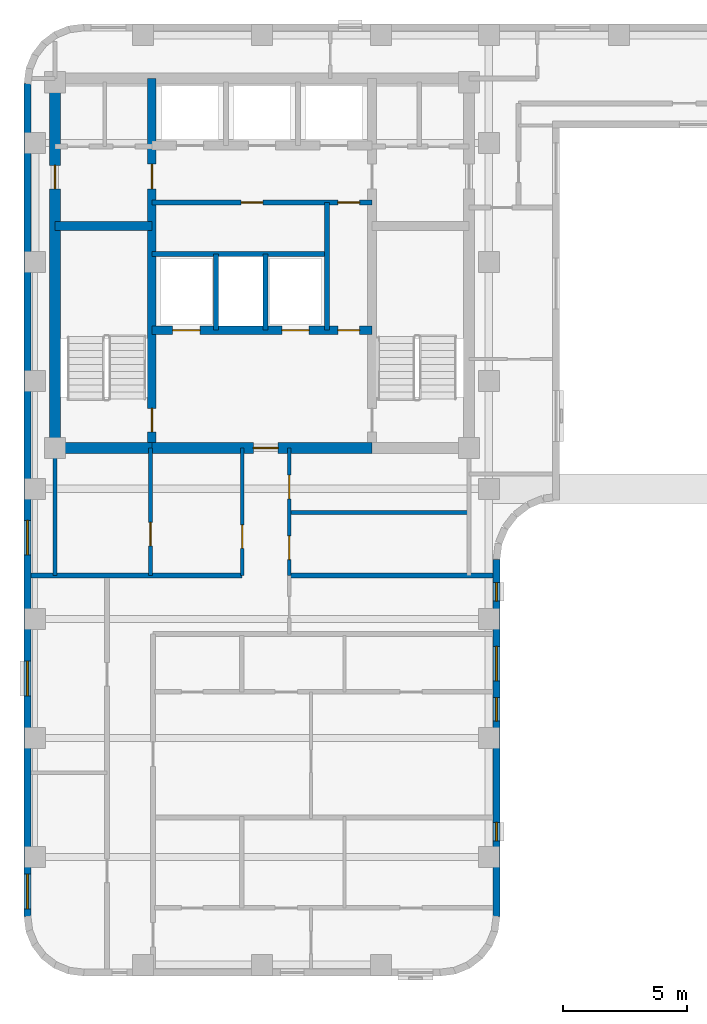
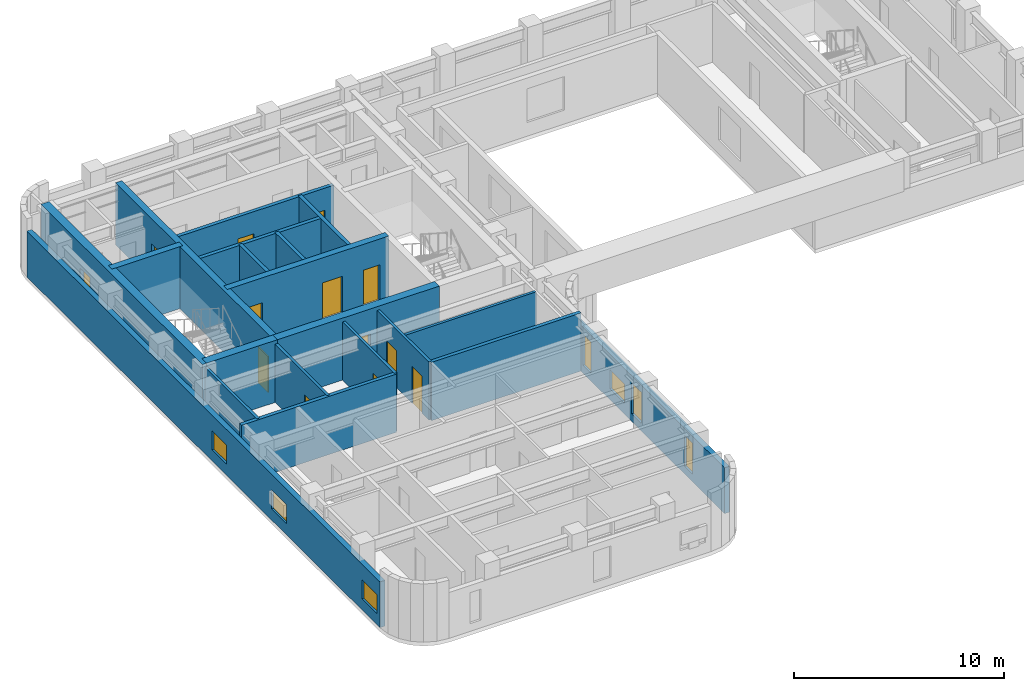
# One storey, part 3 of 8: 20 walls, 13 doors, 7 windows, 20 openings.
"""IFC4 building model written with IfcOpenShell, lengths in metres."""

import ifcopenshell
import ifcopenshell.guid

model = None  # the IFC model being written
_history = None  # IfcOwnerHistory: only IFC2X3 demands one
_inside = {}  # id of a spatial element -> (the spatial element, [elements in it])
_under = {}  # id of a project, library or spatial element -> (it, [spatial elements below it])
_declared = {}  # id of a project -> (the project, [libraries it declares])
_typed = {}  # id of a type object -> (the type object, [elements of that type])
_made_of = {}  # id of a material, layer set ... -> (it, [elements and type objects made of it])


def new_model(schema):
    """Start an empty IFC model of exactly this schema.

    Asked for "IFC4X3", IfcOpenShell would pick the latest addendum, in which some entities
    have other attributes; the version numbers below select the first issue.
    IFC2X3 requires an IfcOwnerHistory on every rooted entity: one is made here for all.
    """
    global model, _history
    if schema == "IFC4X3":
        model = ifcopenshell.file(schema_version=(4, 3, 0, 0))
    else:
        model = ifcopenshell.file(schema=schema)
    _inside.clear()
    _under.clear()
    _declared.clear()
    _typed.clear()
    _made_of.clear()
    _history = None
    if model.schema == "IFC2X3":
        org = make("IfcOrganization", Name="unknown")
        user = make(
            "IfcPersonAndOrganization",
            ThePerson=make("IfcPerson", FamilyName="unknown"),
            TheOrganization=org,
        )
        app = make(
            "IfcApplication",
            ApplicationDeveloper=org,
            Version="unknown",
            ApplicationFullName="unknown",
            ApplicationIdentifier="unknown",
        )
        _history = make(
            "IfcOwnerHistory",
            OwningUser=user,
            OwningApplication=app,
            ChangeAction="ADDED",
            CreationDate=0,
        )
    return model


def make(cls, **values):
    """One entity of the class cls with the attributes given. An attribute that is None is left unset."""
    return model.create_entity(
        cls, **{name: value for name, value in values.items() if value is not None}
    )


def rooted(cls, **values):
    """An entity with a GlobalId (a new one), such as an element, a storey or a relation."""
    return make(cls, GlobalId=ifcopenshell.guid.new(), OwnerHistory=_history, **values)


def si_unit(unit_type, name, prefix=None):
    """IfcSIUnit, for example si_unit("LENGTHUNIT", "METRE", prefix="MILLI")."""
    return make("IfcSIUnit", UnitType=unit_type, Prefix=prefix, Name=name)


def assignment(units):
    """IfcUnitAssignment: the units of a project."""
    return None if units is None else make("IfcUnitAssignment", Units=units)


def point(xyz):
    """IfcCartesianPoint."""
    return None if xyz is None else make("IfcCartesianPoint", Coordinates=xyz)


def direction(xyz):
    """IfcDirection."""
    return None if xyz is None else make("IfcDirection", DirectionRatios=xyz)


def frame(location, z_axis=None, x_axis=None):
    """IfcAxis2Placement3D, a coordinate frame: its origin and axes. An axis left out is left unset."""
    return make(
        "IfcAxis2Placement3D",
        Location=point(location),
        Axis=direction(z_axis),
        RefDirection=direction(x_axis),
    )


def frame_2d(location, x_axis=None):
    """IfcAxis2Placement2D, a coordinate frame in the plane: its origin and x axis."""
    return make(
        "IfcAxis2Placement2D", Location=point(location), RefDirection=direction(x_axis)
    )


def origin():
    """The frame at (0, 0, 0) with its axes left unset."""
    return frame((0.0, 0.0, 0.0))


def place(relative_to, where):
    """IfcLocalPlacement: puts the frame where relative to a parent placement (None: the world)."""
    return make(
        "IfcLocalPlacement", PlacementRelTo=relative_to, RelativePlacement=where
    )


def context(
    kind, dimensions, precision=None, world=None, true_north=None, identifier=None
):
    """IfcGeometricRepresentationContext, for example the 3D "Model" context."""
    return make(
        "IfcGeometricRepresentationContext",
        ContextIdentifier=identifier,
        ContextType=kind,
        CoordinateSpaceDimension=dimensions,
        Precision=precision,
        WorldCoordinateSystem=world,
        TrueNorth=true_north,
    )


def subcontext(parent, identifier, kind, view, scale=None):
    """IfcGeometricRepresentationSubContext, for example "Body" below "Model"."""
    return make(
        "IfcGeometricRepresentationSubContext",
        ContextIdentifier=identifier,
        ContextType=kind,
        ParentContext=parent,
        TargetScale=scale,
        TargetView=view,
    )


def project(units=None, contexts=None):
    """IfcProject with its units and contexts."""
    return rooted(
        "IfcProject",
        Name="project",
        RepresentationContexts=contexts,
        UnitsInContext=assignment(units),
    )


def spatial(cls, under=None, at=None, **own):
    """A site, building, storey or space (cls), placed at a placement, below another one or the project."""
    s = rooted(cls, ObjectPlacement=at, **own)
    if under is not None:
        _under.setdefault(under.id(), (under, []))[1].append(s)
    return s


def profile(cls, at=None, kind="AREA", **sizes):
    """A parametric profile (cls). Its sizes go by their IFC names, for example OverallWidth=200.0."""
    return make(cls, ProfileType=kind, Position=at, **sizes)


def rectangle(**sizes):
    """IfcRectangleProfileDef."""
    return profile("IfcRectangleProfileDef", **sizes)


def extrude(swept, where, along, depth):
    """IfcExtrudedAreaSolid: the profile swept, set in the frame where, extruded along a direction by depth."""
    return make(
        "IfcExtrudedAreaSolid",
        SweptArea=swept,
        Position=where,
        ExtrudedDirection=direction(along),
        Depth=depth,
    )


def shape(context_of_items, identifier, shape_type, items):
    """IfcShapeRepresentation: the items that make up one representation, for example the "Body"."""
    return make(
        "IfcShapeRepresentation",
        ContextOfItems=context_of_items,
        RepresentationIdentifier=identifier,
        RepresentationType=shape_type,
        Items=items,
    )


def material(Name=None, Category=None):
    """IfcMaterial."""
    return make("IfcMaterial", Name=Name, Category=Category)


def layer(
    of_material, thickness, ventilated=None, Name=None, Category=None, Priority=None
):
    """IfcMaterialLayer: one layer of a wall or slab, of a material (None: an air gap)."""
    return make(
        "IfcMaterialLayer",
        Material=of_material,
        LayerThickness=thickness,
        IsVentilated=ventilated,
        Name=Name,
        Category=Category,
        Priority=Priority,
    )


def layer_set(layers, Name=None):
    """IfcMaterialLayerSet."""
    return make("IfcMaterialLayerSet", MaterialLayers=layers, LayerSetName=Name)


def made_of(thing, what):
    """Note that an element or type object is made of a material, layer set ...; save() writes the relation."""
    if what is not None:
        _made_of.setdefault(what.id(), (what, []))[1].append(thing)
    return thing


def type_object(cls, material=None, **own):
    """A type object (cls), such as IfcWallType, which elements share."""
    return made_of(rooted(cls, **own), material)


def element(
    cls,
    number,
    at=None,
    inside=None,
    cuts=None,
    type_object=None,
    material=None,
    context=None,
    identifier="Body",
    shape_type=None,
    held_by="IfcProductDefinitionShape",
    body=None,
    shapes=None,
    **own,
):
    """One element of the class cls, such as IfcWall. Its Tag is "e" and its number.

    at: its placement. inside: the storey or other place that contains it. cuts: it is an
    opening in that element (IfcRelVoidsElement). A single representation is given by context,
    identifier, shape_type and body (its items); several are given by shapes. held_by: the class
    of the entity that holds the representations. save() writes the other relations.
    """
    e = rooted(cls, Tag="e%d" % number, ObjectPlacement=at, **own)
    if body is not None:
        shapes = [shape(context, identifier, shape_type, body)]
    if shapes is not None:
        e.Representation = make(held_by, Representations=shapes)
    if inside is not None:
        _inside.setdefault(inside.id(), (inside, []))[1].append(e)
    if cuts is not None:
        rooted(
            "IfcRelVoidsElement", RelatingBuildingElement=cuts, RelatedOpeningElement=e
        )
    if type_object is not None:
        _typed.setdefault(type_object.id(), (type_object, []))[1].append(e)
    return made_of(e, material)


def fill(opening, filler):
    """IfcRelFillsElement: the door or window that sits in an opening."""
    return rooted(
        "IfcRelFillsElement",
        RelatingOpeningElement=opening,
        RelatedBuildingElement=filler,
    )


def aggregate(whole, parts):
    """IfcRelAggregates: a whole, such as a stair, and the parts it consists of."""
    return rooted("IfcRelAggregates", RelatingObject=whole, RelatedObjects=parts)


def save(model, path):
    """Write the relations noted so far, then the file.

    IfcRelAggregates (storeys below a building ...), IfcRelContainedInSpatialStructure (elements
    in a storey), IfcRelDefinesByType, IfcRelAssociatesMaterial and IfcRelDeclares: one each for
    every whole, place, type object, material and project.
    """
    for whole, parts in _under.values():
        aggregate(whole, parts)
    for where, things in _inside.values():
        rooted(
            "IfcRelContainedInSpatialStructure",
            RelatedElements=things,
            RelatingStructure=where,
        )
    for kind, things in _typed.values():
        rooted("IfcRelDefinesByType", RelatedObjects=things, RelatingType=kind)
    for what, things in _made_of.values():
        rooted("IfcRelAssociatesMaterial", RelatedObjects=things, RelatingMaterial=what)
    for by, libraries in _declared.values():
        rooted("IfcRelDeclares", RelatingContext=by, RelatedDefinitions=libraries)
    model.write(path)


model = new_model("IFC4")

# Units and contexts
model_context = context("Model", 3, precision=1e-05, world=origin(), true_north=direction((0.0, 1.0)))
body_context = subcontext(model_context, "Body", "Model", "MODEL_VIEW")
ifc_project = project(units=[si_unit("LENGTHUNIT", "METRE"), si_unit("AREAUNIT", "SQUARE_METRE"), si_unit("VOLUMEUNIT", "CUBIC_METRE"), si_unit("PLANEANGLEUNIT", "RADIAN"), si_unit("MASSUNIT", "GRAM", prefix="KILO")], contexts=[model_context])

# Site, building, storey
site_placement = place(None, origin())
site = spatial("IfcSite", under=ifc_project, at=site_placement, CompositionType="ELEMENT")
building_placement = place(site_placement, origin())
building = spatial("IfcBuilding", under=site, at=building_placement, Name="Orvandelia Arch Residences", CompositionType="ELEMENT")
storey_placement = place(building_placement, frame((0.0, 0.0, 203.800048828125)))
storey = spatial("IfcBuildingStorey", under=building, at=storey_placement, Name="L53", CompositionType="ELEMENT", Elevation=203.800048828125)

# Wall, openings, doors
ifc_material_1 = material(Name="Concrete C50/60", Category="concrete")
ifc_layer_1 = layer(ifc_material_1, 0.35009765625, Name="Concrete C50/60", Category="concrete")
ifc_layer_set_1 = layer_set([ifc_layer_1], Name="Concrete C50/60")
wall_type_1 = type_object("IfcWallType", Name="WL-CORE-350", PredefinedType="SHEAR", material=ifc_layer_set_1)
wall_1_placement = place(storey_placement, frame((9.9599609375, 30.89990234375, 0.0), z_axis=(0.0, 0.0, 1.0), x_axis=(0.0, 1.0, 0.0)))
wall_1 = element("IfcWall", 1, at=wall_1_placement, inside=storey, type_object=wall_type_1, Name="Core Shear Wall L53-WEB1", PredefinedType="SHEAR", context=body_context, shape_type="SweptSolid", body=[
    extrude(rectangle(XDim=14.900146484375, YDim=0.35009765625, at=frame_2d((7.4501953125, 0.0))), origin(), (0.0, 0.0, 1.0), 3.599853515625),
])
opening_1_placement = place(wall_1_placement, frame((0.64990234375, 0.0, 0.0)))
opening_1 = element("IfcOpeningElement", 2, at=opening_1_placement, cuts=wall_1, Name="Opening D7", PredefinedType="OPENING", context=body_context, shape_type="SweptSolid", body=[
    extrude(rectangle(XDim=0.949951171875, YDim=2.10009765625, at=frame_2d((0.47509765625, 1.050048828125))), frame((0.0, 0.18505859375, 0.0), z_axis=(0.0, -1.0, 0.0), x_axis=(1.0, 0.0, 0.0)), (0.0, 0.0, 1.0), 0.3701171875),
])
opening_2_placement = place(wall_1_placement, frame((10.449951171875, 0.0, 0.0)))
opening_2 = element("IfcOpeningElement", 3, at=opening_2_placement, cuts=wall_1, Name="Opening D6", PredefinedType="OPENING", context=body_context, shape_type="SweptSolid", body=[
    extrude(rectangle(XDim=1.0, YDim=2.14990234375, at=frame_2d((0.5, 1.074951171875))), frame((0.0, 0.18505859375, 0.0), z_axis=(0.0, -1.0, 0.0), x_axis=(1.0, 0.0, 0.0)), (0.0, 0.0, 1.0), 0.3701171875),
])
ifc_material_2 = material(Name="Smokeproof Painted Steel Fire Door", Category="steel")
door_type_1 = type_object("IfcDoorType", Name="DR-FD60-1000", OperationType="NOTDEFINED", PredefinedType="DOOR", material=ifc_material_2)
door_1_placement = place(opening_2_placement, origin())
door_1 = element("IfcDoor", 4, at=door_1_placement, inside=storey, type_object=door_type_1, Name="High-Rise Lift Hall West Vestibule Door L53", OperationType="SINGLE_SWING_LEFT", OverallHeight=2.14990234375, OverallWidth=1.0, PredefinedType="DOOR", context=body_context, shape_type="SweptSolid", body=[
    extrude(rectangle(XDim=1.0, YDim=2.14990234375, at=frame_2d((0.5, 1.074951171875))), frame((0.0, 0.02490234375, 0.0), z_axis=(0.0, -1.0, 0.0), x_axis=(1.0, 0.0, 0.0)), (0.0, 0.0, 1.0), 0.050048828125),
])
fill(opening_2, door_1)
ifc_material_3 = material(Name="Pressurised Stairwell Fire Door")
door_type_2 = type_object("IfcDoorType", Name="DR-STAIR-950", OperationType="NOTDEFINED", PredefinedType="DOOR", material=ifc_material_3)
door_2_placement = place(opening_1_placement, origin())
door_2 = element("IfcDoor", 5, at=door_2_placement, inside=storey, type_object=door_type_2, Name="Stairwell ST-1 Fire Door L53", OperationType="SINGLE_SWING_LEFT", OverallHeight=2.10009765625, OverallWidth=0.949951171875, PredefinedType="DOOR", context=body_context, shape_type="SweptSolid", body=[
    extrude(rectangle(XDim=0.949951171875, YDim=2.10009765625, at=frame_2d((0.47509765625, 1.050048828125))), frame((0.0, 0.02490234375, 0.0), z_axis=(0.0, -1.0, 0.0), x_axis=(1.0, 0.0, 0.0)), (0.0, 0.0, 1.0), 0.050048828125),
])
fill(opening_1, door_2)

# Wall
wall_2_placement = place(storey_placement, frame((6.050048828125, 39.85009765625, 0.0), z_axis=(0.0, 0.0, 1.0), x_axis=(1.0, 0.0, 0.0)))
element("IfcWall", 6, at=wall_2_placement, inside=storey, type_object=wall_type_1, Name="Core Shear Wall L53-HZ1", PredefinedType="SHEAR", context=body_context, shape_type="SweptSolid", body=[
    extrude(rectangle(XDim=3.909912109375, YDim=0.35009765625, at=frame_2d((1.955078125, 0.0))), origin(), (0.0, 0.0, 1.0), 3.599853515625),
])

# Wall, openings, doors
wall_3_placement = place(storey_placement, frame((9.9599609375, 35.64990234375, 0.0), z_axis=(0.0, 0.0, 1.0), x_axis=(1.0, 0.0, 0.0)))
wall_3 = element("IfcWall", 7, at=wall_3_placement, inside=storey, type_object=wall_type_1, Name="Core Shear Wall L53-HZ3", PredefinedType="SHEAR", context=body_context, shape_type="SweptSolid", body=[
    extrude(rectangle(XDim=8.880126953125, YDim=0.35009765625, at=frame_2d((4.43994140625, 0.0))), origin(), (0.0, 0.0, 1.0), 3.599853515625),
])
opening_3_placement = place(wall_3_placement, frame((0.840087890625, 0.0, 0.0)))
opening_3 = element("IfcOpeningElement", 8, at=opening_3_placement, cuts=wall_3, Name="Opening FLD", PredefinedType="OPENING", context=body_context, shape_type="SweptSolid", body=[
    extrude(rectangle(XDim=1.10009765625, YDim=2.14990234375, at=frame_2d((0.550048828125, 1.074951171875))), frame((0.0, 0.18505859375, 0.0), z_axis=(0.0, -1.0, 0.0), x_axis=(1.0, 0.0, 0.0)), (0.0, 0.0, 1.0), 0.3701171875),
])
opening_4_placement = place(wall_3_placement, frame((5.239990234375, 0.0, 0.0)))
opening_4 = element("IfcOpeningElement", 9, at=opening_4_placement, cuts=wall_3, Name="Opening FLD", PredefinedType="OPENING", context=body_context, shape_type="SweptSolid", body=[
    extrude(rectangle(XDim=1.10009765625, YDim=2.14990234375, at=frame_2d((0.550048828125, 1.074951171875))), frame((0.0, 0.18505859375, 0.0), z_axis=(0.0, -1.0, 0.0), x_axis=(1.0, 0.0, 0.0)), (0.0, 0.0, 1.0), 0.3701171875),
])
opening_5_placement = place(wall_3_placement, frame((7.5, 0.0, 0.0)))
opening_5 = element("IfcOpeningElement", 10, at=opening_5_placement, cuts=wall_3, Name="Opening D5", PredefinedType="OPENING", context=body_context, shape_type="SweptSolid", body=[
    extrude(rectangle(XDim=0.8798828125, YDim=2.10009765625, at=frame_2d((0.43994140625, 1.050048828125))), frame((0.0, 0.18505859375, 0.0), z_axis=(0.0, -1.0, 0.0), x_axis=(1.0, 0.0, 0.0)), (0.0, 0.0, 1.0), 0.3701171875),
])
ifc_material_4 = material(Name="Firefighting Lift Stainless Sliding Door")
door_type_3 = type_object("IfcDoorType", Name="DR-FLFT-1100", OperationType="NOTDEFINED", PredefinedType="DOOR", material=ifc_material_4)
door_3_placement = place(opening_3_placement, origin())
door_3 = element("IfcDoor", 11, at=door_3_placement, inside=storey, type_object=door_type_3, Name="Firefighting Lift Landing Door FLD-FL1-L53", OperationType="SLIDING_TO_LEFT", OverallHeight=2.14990234375, OverallWidth=1.10009765625, PredefinedType="DOOR", context=body_context, shape_type="SweptSolid", body=[
    extrude(rectangle(XDim=1.10009765625, YDim=2.14990234375, at=frame_2d((0.550048828125, 1.074951171875))), frame((0.0, 0.02490234375, 0.0), z_axis=(0.0, -1.0, 0.0), x_axis=(1.0, 0.0, 0.0)), (0.0, 0.0, 1.0), 0.050048828125),
])
fill(opening_3, door_3)
door_4_placement = place(opening_4_placement, origin())
door_4 = element("IfcDoor", 12, at=door_4_placement, inside=storey, type_object=door_type_3, Name="Firefighting Lift Landing Door FLD-FL2-L53", OperationType="SLIDING_TO_RIGHT", OverallHeight=2.14990234375, OverallWidth=1.10009765625, PredefinedType="DOOR", context=body_context, shape_type="SweptSolid", body=[
    extrude(rectangle(XDim=1.10009765625, YDim=2.14990234375, at=frame_2d((0.550048828125, 1.074951171875))), frame((0.0, 0.02490234375, 0.0), z_axis=(0.0, -1.0, 0.0), x_axis=(1.0, 0.0, 0.0)), (0.0, 0.0, 1.0), 0.050048828125),
])
fill(opening_4, door_4)
ifc_material_5 = material(Name="Painted Galvanised Steel Service Door", Category="steel")
door_type_4 = type_object("IfcDoorType", Name="DR-SRV-880", OperationType="NOTDEFINED", PredefinedType="DOOR", material=ifc_material_5)
door_5_placement = place(opening_5_placement, origin())
door_5 = element("IfcDoor", 13, at=door_5_placement, inside=storey, type_object=door_type_4, Name="Core Stairway Passage South Fire Door L53", OperationType="SINGLE_SWING_LEFT", OverallHeight=2.10009765625, OverallWidth=0.8798828125, PredefinedType="DOOR", context=body_context, shape_type="SweptSolid", body=[
    extrude(rectangle(XDim=0.8798828125, YDim=2.10009765625, at=frame_2d((0.43994140625, 1.050048828125))), frame((0.0, 0.02490234375, 0.0), z_axis=(0.0, -1.0, 0.0), x_axis=(1.0, 0.0, 0.0)), (0.0, 0.0, 1.0), 0.050048828125),
])
fill(opening_5, door_5)

# Wall, opening, door
ifc_layer_2 = layer(ifc_material_1, 0.449951171875, Name="Concrete C50/60", Category="concrete")
ifc_layer_set_2 = layer_set([ifc_layer_2], Name="Concrete C50/60")
wall_type_2 = type_object("IfcWallType", Name="WL-CORE-450", PredefinedType="SHEAR", material=ifc_layer_set_2)
wall_4_placement = place(storey_placement, frame((6.050048828125, 30.675048828125, 0.0), z_axis=(0.0, 0.0, 1.0), x_axis=(0.0, 1.0, 0.0)))
wall_4 = element("IfcWall", 14, at=wall_4_placement, inside=storey, type_object=wall_type_2, Name="Core Shear Wall L53-W", PredefinedType="SHEAR", context=body_context, shape_type="SweptSolid", body=[
    extrude(rectangle(XDim=15.349853515625, YDim=0.449951171875, at=frame_2d((7.6748046875, 0.0))), origin(), (0.0, 0.0, 1.0), 3.599853515625),
])
opening_6_placement = place(wall_4_placement, frame((10.675048828125, 0.0, 0.0)))
opening_6 = element("IfcOpeningElement", 15, at=opening_6_placement, cuts=wall_4, Name="Opening D2", PredefinedType="OPENING", context=body_context, shape_type="SweptSolid", body=[
    extrude(rectangle(XDim=0.949951171875, YDim=2.14990234375, at=frame_2d((0.47509765625, 1.074951171875))), frame((0.0, 0.23486328125, 0.0), z_axis=(0.0, -1.0, 0.0), x_axis=(1.0, 0.0, 0.0)), (0.0, 0.0, 1.0), 0.469970703125),
])
ifc_material_6 = material(Name="Solid-Core Timber Interior Fire Door", Category="wood")
door_type_5 = type_object("IfcDoorType", Name="DR-APT-950", OperationType="NOTDEFINED", PredefinedType="DOOR", material=ifc_material_6)
door_6_placement = place(opening_6_placement, origin())
door_6 = element("IfcDoor", 16, at=door_6_placement, inside=storey, type_object=door_type_5, Name="West Viewing Study Door L53", OperationType="SINGLE_SWING_RIGHT", OverallHeight=2.14990234375, OverallWidth=0.949951171875, PredefinedType="DOOR", context=body_context, shape_type="SweptSolid", body=[
    extrude(rectangle(XDim=0.949951171875, YDim=2.14990234375, at=frame_2d((0.47509765625, 1.074951171875))), frame((0.0, 0.02490234375, 0.0), z_axis=(0.0, -1.0, 0.0), x_axis=(1.0, 0.0, 0.0)), (0.0, 0.0, 1.0), 0.050048828125),
])
fill(opening_6, door_6)

# Wall
wall_5_placement = place(storey_placement, frame((6.050048828125, 30.89990234375, 0.0), z_axis=(0.0, 0.0, 1.0), x_axis=(1.0, 0.0, 0.0)))
element("IfcWall", 17, at=wall_5_placement, inside=storey, type_object=wall_type_2, Name="Core Shear Wall L53-SW", PredefinedType="SHEAR", context=body_context, shape_type="SweptSolid", body=[
    extrude(rectangle(XDim=3.909912109375, YDim=0.449951171875, at=frame_2d((1.955078125, 0.0))), origin(), (0.0, 0.0, 1.0), 3.599853515625),
])

# Wall, opening, door
wall_6_placement = place(storey_placement, frame((9.9599609375, 30.89990234375, 0.0), z_axis=(0.0, 0.0, 1.0), x_axis=(1.0, 0.0, 0.0)))
wall_6 = element("IfcWall", 18, at=wall_6_placement, inside=storey, type_object=wall_type_2, Name="Core Shear Wall L53-SM", PredefinedType="SHEAR", context=body_context, shape_type="SweptSolid", body=[
    extrude(rectangle(XDim=8.880126953125, YDim=0.449951171875, at=frame_2d((4.43994140625, 0.0))), origin(), (0.0, 0.0, 1.0), 3.599853515625),
])
opening_7_placement = place(wall_6_placement, frame((4.090087890625, 0.0, 0.0)))
opening_7 = element("IfcOpeningElement", 19, at=opening_7_placement, cuts=wall_6, Name="Opening D6", PredefinedType="OPENING", context=body_context, shape_type="SweptSolid", body=[
    extrude(rectangle(XDim=1.0, YDim=2.14990234375, at=frame_2d((0.5, 1.074951171875))), frame((0.0, 0.23486328125, 0.0), z_axis=(0.0, -1.0, 0.0), x_axis=(1.0, 0.0, 0.0)), (0.0, 0.0, 1.0), 0.469970703125),
])
door_7_placement = place(opening_7_placement, origin())
door_7 = element("IfcDoor", 20, at=door_7_placement, inside=storey, type_object=door_type_1, Name="Firefighting Lobby Smokeproof Door L53", OperationType="SINGLE_SWING_LEFT", OverallHeight=2.14990234375, OverallWidth=1.0, PredefinedType="DOOR", context=body_context, shape_type="SweptSolid", body=[
    extrude(rectangle(XDim=1.0, YDim=2.14990234375, at=frame_2d((0.5, 1.074951171875))), frame((0.0, 0.02490234375, 0.0), z_axis=(0.0, -1.0, 0.0), x_axis=(1.0, 0.0, 0.0)), (0.0, 0.0, 1.0), 0.050048828125),
])
fill(opening_7, door_7)

# Walls
ifc_material_7 = material(Name="Fire-Rated Corridor Partition")
ifc_layer_3 = layer(ifc_material_7, 0.199951171875, Name="Fire-Rated Corridor Partition")
ifc_layer_set_3 = layer_set([ifc_layer_3], Name="Fire-Rated Corridor Partition")
wall_type_3 = type_object("IfcWallType", Name="WL-CORR-200", PredefinedType="PARTITIONING", material=ifc_layer_set_3)
wall_7_placement = place(storey_placement, frame((5.080078125, 25.75, 0.0), z_axis=(0.0, 0.0, 1.0), x_axis=(1.0, 0.0, 0.0)))
element("IfcWall", 21, at=wall_7_placement, inside=storey, type_object=wall_type_3, Name="Interior Partition Wall WL-L53-WLNK-N", PredefinedType="PARTITIONING", context=body_context, shape_type="SweptSolid", body=[
    extrude(rectangle(XDim=8.52001953125, YDim=0.199951171875, at=frame_2d((4.260009765625, 0.0))), origin(), (0.0, 0.0, 1.0), 3.3798828125),
])
wall_8_placement = place(storey_placement, frame((15.5, 25.75, 0.0), z_axis=(0.0, 0.0, 1.0), x_axis=(1.0, 0.0, 0.0)))
element("IfcWall", 22, at=wall_8_placement, inside=storey, type_object=wall_type_3, Name="Interior Partition Wall WL-L53-WLNK-NE2", PredefinedType="PARTITIONING", context=body_context, shape_type="SweptSolid", body=[
    extrude(rectangle(XDim=8.219970703125, YDim=0.199951171875, at=frame_2d((4.10986328125, 0.0))), origin(), (0.0, 0.0, 1.0), 3.3798828125),
])

# Wall, openings, windows
ifc_material_8 = material(Name="Precast concrete C40/50", Category="concrete")
ifc_layer_4 = layer(ifc_material_8, 0.280029296875, Name="Precast concrete C40/50", Category="concrete")
ifc_layer_set_4 = layer_set([ifc_layer_4], Name="Precast concrete C40/50")
wall_type_4 = type_object("IfcWallType", Name="WL-EXT-STONE-280", PredefinedType="STANDARD", material=ifc_layer_set_4)
wall_9_placement = place(storey_placement, frame((23.860107421875, 26.39990234375, 0.0), z_axis=(0.0, 0.0, 1.0), x_axis=(0.0, -1.0, 0.0)))
wall_9 = element("IfcWall", 23, at=wall_9_placement, inside=storey, type_object=wall_type_4, Name="Coral-Limestone Precast Facade Wall L53-031", PredefinedType="STANDARD", context=body_context, shape_type="SweptSolid", body=[
    extrude(rectangle(XDim=14.39990234375, YDim=0.280029296875, at=frame_2d((7.199951171875, 0.0))), origin(), (0.0, 0.0, 1.0), 2.659912109375),
])
opening_8_placement = place(wall_9_placement, frame((10.6025390625, 0.0, 0.449951171875)))
opening_8 = element("IfcOpeningElement", 24, at=opening_8_placement, cuts=wall_9, Name="Opening W11", PredefinedType="OPENING", context=body_context, shape_type="SweptSolid", body=[
    extrude(rectangle(XDim=0.75, YDim=1.800048828125, at=frame_2d((0.375, 0.89990234375))), frame((0.0, 0.14990234375, 0.0), z_axis=(0.0, -1.0, 0.0), x_axis=(1.0, 0.0, 0.0)), (0.0, 0.0, 1.0), 0.300048828125),
])
opening_9_placement = place(wall_9_placement, frame((3.5, 0.0, 0.64990234375)))
opening_9 = element("IfcOpeningElement", 25, at=opening_9_placement, cuts=wall_9, Name="Opening W10", PredefinedType="OPENING", context=body_context, shape_type="SweptSolid", body=[
    extrude(rectangle(XDim=1.39990234375, YDim=1.10009765625, at=frame_2d((0.699951171875, 0.550048828125))), frame((0.0, 0.14990234375, 0.0), z_axis=(0.0, -1.0, 0.0), x_axis=(1.0, 0.0, 0.0)), (0.0, 0.0, 1.0), 0.300048828125),
])
opening_10_placement = place(wall_9_placement, frame((5.572509765625, 0.0, 0.449951171875)))
opening_10 = element("IfcOpeningElement", 26, at=opening_10_placement, cuts=wall_9, Name="Opening W4", PredefinedType="OPENING", context=body_context, shape_type="SweptSolid", body=[
    extrude(rectangle(XDim=0.949951171875, YDim=1.800048828125, at=frame_2d((0.47509765625, 0.89990234375))), frame((0.0, 0.14990234375, 0.0), z_axis=(0.0, -1.0, 0.0), x_axis=(1.0, 0.0, 0.0)), (0.0, 0.0, 1.0), 0.300048828125),
])
opening_11_placement = place(wall_9_placement, frame((0.9326171875, 0.0, 0.449951171875)))
opening_11 = element("IfcOpeningElement", 27, at=opening_11_placement, cuts=wall_9, Name="Opening W11", PredefinedType="OPENING", context=body_context, shape_type="SweptSolid", body=[
    extrude(rectangle(XDim=0.75, YDim=1.800048828125, at=frame_2d((0.375, 0.89990234375))), frame((0.0, 0.14990234375, 0.0), z_axis=(0.0, -1.0, 0.0), x_axis=(1.0, 0.0, 0.0)), (0.0, 0.0, 1.0), 0.300048828125),
])
ifc_material_9 = material(Name="Tempered Low-E Insulated Glazing", Category="glass")
window_type_1 = type_object("IfcWindowType", Name="WIN-BED-0750x1800", PartitioningType="SINGLE_PANEL", PredefinedType="WINDOW", material=ifc_material_9)
window_1_placement = place(opening_8_placement, origin())
window_1 = element("IfcWindow", 28, at=window_1_placement, inside=storey, type_object=window_type_1, Name="Recessed Punched Window L53-012", OverallHeight=1.800048828125, OverallWidth=0.75, PartitioningType="SINGLE_PANEL", PredefinedType="WINDOW", context=body_context, shape_type="SweptSolid", body=[
    extrude(rectangle(XDim=0.75, YDim=1.800048828125, at=frame_2d((0.375, 0.89990234375))), frame((0.0, 0.030029296875, 0.0), z_axis=(0.0, -1.0, 0.0), x_axis=(1.0, 0.0, 0.0)), (0.0, 0.0, 1.0), 0.06005859375),
])
fill(opening_8, window_1)
window_2_placement = place(opening_11_placement, origin())
window_2 = element("IfcWindow", 29, at=window_2_placement, inside=storey, type_object=window_type_1, Name="Recessed Punched Window L53-015", OverallHeight=1.800048828125, OverallWidth=0.75, PartitioningType="SINGLE_PANEL", PredefinedType="WINDOW", context=body_context, shape_type="SweptSolid", body=[
    extrude(rectangle(XDim=0.75, YDim=1.800048828125, at=frame_2d((0.375, 0.89990234375))), frame((0.0, 0.030029296875, 0.0), z_axis=(0.0, -1.0, 0.0), x_axis=(1.0, 0.0, 0.0)), (0.0, 0.0, 1.0), 0.06005859375),
])
fill(opening_11, window_2)
window_type_2 = type_object("IfcWindowType", Name="WIN-CLR-1400x1100", PartitioningType="SINGLE_PANEL", PredefinedType="WINDOW", material=ifc_material_9)
window_3_placement = place(opening_9_placement, origin())
window_3 = element("IfcWindow", 30, at=window_3_placement, inside=storey, type_object=window_type_2, Name="Recessed Punched Window L53-013", OverallHeight=1.10009765625, OverallWidth=1.39990234375, PartitioningType="SINGLE_PANEL", PredefinedType="WINDOW", context=body_context, shape_type="SweptSolid", body=[
    extrude(rectangle(XDim=1.39990234375, YDim=1.10009765625, at=frame_2d((0.699951171875, 0.550048828125))), frame((0.0, 0.030029296875, 0.0), z_axis=(0.0, -1.0, 0.0), x_axis=(1.0, 0.0, 0.0)), (0.0, 0.0, 1.0), 0.06005859375),
])
fill(opening_9, window_3)
window_type_3 = type_object("IfcWindowType", Name="WIN-RES-0950x1800", PartitioningType="SINGLE_PANEL", PredefinedType="WINDOW", material=ifc_material_9)
window_4_placement = place(opening_10_placement, origin())
window_4 = element("IfcWindow", 31, at=window_4_placement, inside=storey, type_object=window_type_3, Name="Recessed Punched Window L53-014", OverallHeight=1.800048828125, OverallWidth=0.949951171875, PartitioningType="SINGLE_PANEL", PredefinedType="WINDOW", context=body_context, shape_type="SweptSolid", body=[
    extrude(rectangle(XDim=0.949951171875, YDim=1.800048828125, at=frame_2d((0.47509765625, 0.89990234375))), frame((0.0, 0.030029296875, 0.0), z_axis=(0.0, -1.0, 0.0), x_axis=(1.0, 0.0, 0.0)), (0.0, 0.0, 1.0), 0.06005859375),
])
fill(opening_10, window_4)

wall_10_placement = place(storey_placement, frame((4.93994140625, 12.0, 0.0), z_axis=(0.0, 0.0, 1.0), x_axis=(0.0, 1.0, 0.0)))
wall_10 = element("IfcWall", 32, at=wall_10_placement, inside=storey, type_object=wall_type_4, Name="Coral-Limestone Precast Facade Wall L53-045", PredefinedType="STANDARD", context=body_context, shape_type="SweptSolid", body=[
    extrude(rectangle(XDim=33.60009765625, YDim=0.280029296875, at=frame_2d((16.800048828125, 0.0))), origin(), (0.0, 0.0, 1.0), 2.659912109375),
])
opening_12_placement = place(wall_10_placement, frame((14.58251953125, 0.0, 0.64990234375)))
opening_12 = element("IfcOpeningElement", 33, at=opening_12_placement, cuts=wall_10, Name="Opening W10", PredefinedType="OPENING", context=body_context, shape_type="SweptSolid", body=[
    extrude(rectangle(XDim=1.39990234375, YDim=1.10009765625, at=frame_2d((0.699951171875, 0.550048828125))), frame((0.0, 0.14990234375, 0.0), z_axis=(0.0, -1.0, 0.0), x_axis=(1.0, 0.0, 0.0)), (0.0, 0.0, 1.0), 0.300048828125),
])
opening_13_placement = place(wall_10_placement, frame((0.3076171875, 0.0, 0.64990234375)))
opening_13 = element("IfcOpeningElement", 34, at=opening_13_placement, cuts=wall_10, Name="Opening W10", PredefinedType="OPENING", context=body_context, shape_type="SweptSolid", body=[
    extrude(rectangle(XDim=1.39990234375, YDim=1.10009765625, at=frame_2d((0.699951171875, 0.550048828125))), frame((0.0, 0.14990234375, 0.0), z_axis=(0.0, -1.0, 0.0), x_axis=(1.0, 0.0, 0.0)), (0.0, 0.0, 1.0), 0.300048828125),
])
opening_14_placement = place(wall_10_placement, frame((8.89990234375, 0.0, 0.64990234375)))
opening_14 = element("IfcOpeningElement", 35, at=opening_14_placement, cuts=wall_10, Name="Opening W10", PredefinedType="OPENING", context=body_context, shape_type="SweptSolid", body=[
    extrude(rectangle(XDim=1.39990234375, YDim=1.10009765625, at=frame_2d((0.699951171875, 0.550048828125))), frame((0.0, 0.14990234375, 0.0), z_axis=(0.0, -1.0, 0.0), x_axis=(1.0, 0.0, 0.0)), (0.0, 0.0, 1.0), 0.300048828125),
])
window_5_placement = place(opening_12_placement, origin())
window_5 = element("IfcWindow", 36, at=window_5_placement, inside=storey, type_object=window_type_2, Name="Recessed Punched Window L53-019", OverallHeight=1.10009765625, OverallWidth=1.39990234375, PartitioningType="SINGLE_PANEL", PredefinedType="WINDOW", context=body_context, shape_type="SweptSolid", body=[
    extrude(rectangle(XDim=1.39990234375, YDim=1.10009765625, at=frame_2d((0.699951171875, 0.550048828125))), frame((0.0, 0.030029296875, 0.0), z_axis=(0.0, -1.0, 0.0), x_axis=(1.0, 0.0, 0.0)), (0.0, 0.0, 1.0), 0.06005859375),
])
fill(opening_12, window_5)
window_6_placement = place(opening_13_placement, origin())
window_6 = element("IfcWindow", 37, at=window_6_placement, inside=storey, type_object=window_type_2, Name="Recessed Punched Window L53-020", OverallHeight=1.10009765625, OverallWidth=1.39990234375, PartitioningType="SINGLE_PANEL", PredefinedType="WINDOW", context=body_context, shape_type="SweptSolid", body=[
    extrude(rectangle(XDim=1.39990234375, YDim=1.10009765625, at=frame_2d((0.699951171875, 0.550048828125))), frame((0.0, 0.030029296875, 0.0), z_axis=(0.0, -1.0, 0.0), x_axis=(1.0, 0.0, 0.0)), (0.0, 0.0, 1.0), 0.06005859375),
])
fill(opening_13, window_6)
window_7_placement = place(opening_14_placement, origin())
window_7 = element("IfcWindow", 38, at=window_7_placement, inside=storey, type_object=window_type_2, Name="Recessed Punched Window L53-021", OverallHeight=1.10009765625, OverallWidth=1.39990234375, PartitioningType="SINGLE_PANEL", PredefinedType="WINDOW", context=body_context, shape_type="SweptSolid", body=[
    extrude(rectangle(XDim=1.39990234375, YDim=1.10009765625, at=frame_2d((0.699951171875, 0.550048828125))), frame((0.0, 0.030029296875, 0.0), z_axis=(0.0, -1.0, 0.0), x_axis=(1.0, 0.0, 0.0)), (0.0, 0.0, 1.0), 0.06005859375),
])
fill(opening_14, window_7)

# Wall, opening, door
ifc_material_10 = material(Name="Acoustic Gypsum Stud Partition")
ifc_layer_5 = layer(ifc_material_10, 0.14990234375, Name="Acoustic Gypsum Stud Partition")
ifc_layer_set_5 = layer_set([ifc_layer_5], Name="Acoustic Gypsum Stud Partition")
wall_type_5 = type_object("IfcWallType", Name="WL-PART-150", PredefinedType="PARTITIONING", material=ifc_layer_set_5)
wall_11_placement = place(storey_placement, frame((13.60009765625, 25.75, 0.0), z_axis=(0.0, 0.0, 1.0), x_axis=(0.0, 1.0, 0.0)))
wall_11 = element("IfcWall", 39, at=wall_11_placement, inside=storey, type_object=wall_type_5, Name="Interior Partition Wall WL-L53-HI-W1", PredefinedType="PARTITIONING", context=body_context, shape_type="SweptSolid", body=[
    extrude(rectangle(XDim=5.14990234375, YDim=0.14990234375, at=frame_2d((2.574951171875, 0.0))), origin(), (0.0, 0.0, 1.0), 3.3798828125),
])
opening_15_placement = place(wall_11_placement, frame((1.10009765625, 0.0, 0.0)))
opening_15 = element("IfcOpeningElement", 40, at=opening_15_placement, cuts=wall_11, Name="Opening D2", PredefinedType="OPENING", context=body_context, shape_type="SweptSolid", body=[
    extrude(rectangle(XDim=0.949951171875, YDim=2.14990234375, at=frame_2d((0.47509765625, 1.074951171875))), frame((0.0, 0.0849609375, 0.0), z_axis=(0.0, -1.0, 0.0), x_axis=(1.0, 0.0, 0.0)), (0.0, 0.0, 1.0), 0.169921875),
])
door_8_placement = place(opening_15_placement, origin())
door_8 = element("IfcDoor", 41, at=door_8_placement, inside=storey, type_object=door_type_5, Name="DR-L53-HIR1B", OperationType="SINGLE_SWING_LEFT", OverallHeight=2.14990234375, OverallWidth=0.949951171875, PredefinedType="DOOR", context=body_context, shape_type="SweptSolid", body=[
    extrude(rectangle(XDim=0.949951171875, YDim=2.14990234375, at=frame_2d((0.47509765625, 1.074951171875))), frame((0.0, 0.02490234375, 0.0), z_axis=(0.0, -1.0, 0.0), x_axis=(1.0, 0.0, 0.0)), (0.0, 0.0, 1.0), 0.050048828125),
])
fill(opening_15, door_8)

# Wall, openings, doors
wall_12_placement = place(storey_placement, frame((15.5, 25.75, 0.0), z_axis=(0.0, 0.0, 1.0), x_axis=(0.0, 1.0, 0.0)))
wall_12 = element("IfcWall", 42, at=wall_12_placement, inside=storey, type_object=wall_type_5, Name="Interior Partition Wall WL-L53-HI-W2", PredefinedType="PARTITIONING", context=body_context, shape_type="SweptSolid", body=[
    extrude(rectangle(XDim=5.14990234375, YDim=0.14990234375, at=frame_2d((2.574951171875, 0.0))), origin(), (0.0, 0.0, 1.0), 3.3798828125),
])
opening_16_placement = place(wall_12_placement, frame((0.64990234375, 0.0, 0.0)))
opening_16 = element("IfcOpeningElement", 43, at=opening_16_placement, cuts=wall_12, Name="Opening D2", PredefinedType="OPENING", context=body_context, shape_type="SweptSolid", body=[
    extrude(rectangle(XDim=0.949951171875, YDim=2.14990234375, at=frame_2d((0.47509765625, 1.074951171875))), frame((0.0, 0.0849609375, 0.0), z_axis=(0.0, -1.0, 0.0), x_axis=(1.0, 0.0, 0.0)), (0.0, 0.0, 1.0), 0.169921875),
])
opening_17_placement = place(wall_12_placement, frame((3.10009765625, 0.0, 0.0)))
opening_17 = element("IfcOpeningElement", 44, at=opening_17_placement, cuts=wall_12, Name="Opening D2", PredefinedType="OPENING", context=body_context, shape_type="SweptSolid", body=[
    extrude(rectangle(XDim=0.949951171875, YDim=2.14990234375, at=frame_2d((0.47509765625, 1.074951171875))), frame((0.0, 0.0849609375, 0.0), z_axis=(0.0, -1.0, 0.0), x_axis=(1.0, 0.0, 0.0)), (0.0, 0.0, 1.0), 0.169921875),
])
door_9_placement = place(opening_16_placement, origin())
door_9 = element("IfcDoor", 45, at=door_9_placement, inside=storey, type_object=door_type_5, Name="DR-L53-HIR2S", OperationType="SINGLE_SWING_RIGHT", OverallHeight=2.14990234375, OverallWidth=0.949951171875, PredefinedType="DOOR", context=body_context, shape_type="SweptSolid", body=[
    extrude(rectangle(XDim=0.949951171875, YDim=2.14990234375, at=frame_2d((0.47509765625, 1.074951171875))), frame((0.0, 0.02490234375, 0.0), z_axis=(0.0, -1.0, 0.0), x_axis=(1.0, 0.0, 0.0)), (0.0, 0.0, 1.0), 0.050048828125),
])
fill(opening_16, door_9)
door_10_placement = place(opening_17_placement, origin())
door_10 = element("IfcDoor", 46, at=door_10_placement, inside=storey, type_object=door_type_5, Name="DR-L53-HIR2N", OperationType="SINGLE_SWING_LEFT", OverallHeight=2.14990234375, OverallWidth=0.949951171875, PredefinedType="DOOR", context=body_context, shape_type="SweptSolid", body=[
    extrude(rectangle(XDim=0.949951171875, YDim=2.14990234375, at=frame_2d((0.47509765625, 1.074951171875))), frame((0.0, 0.02490234375, 0.0), z_axis=(0.0, -1.0, 0.0), x_axis=(1.0, 0.0, 0.0)), (0.0, 0.0, 1.0), 0.050048828125),
])
fill(opening_17, door_10)

# Wall
wall_13_placement = place(storey_placement, frame((6.050048828125, 25.75, 0.0), z_axis=(0.0, 0.0, 1.0), x_axis=(0.0, 1.0, 0.0)))
element("IfcWall", 47, at=wall_13_placement, inside=storey, type_object=wall_type_5, Name="Interior Partition Wall WL-L53-HI-WW", PredefinedType="PARTITIONING", context=body_context, shape_type="SweptSolid", body=[
    extrude(rectangle(XDim=5.14990234375, YDim=0.14990234375, at=frame_2d((2.574951171875, 0.0))), origin(), (0.0, 0.0, 1.0), 3.3798828125),
])

# Wall, opening, door
wall_14_placement = place(storey_placement, frame((9.89990234375, 25.75, 0.0), z_axis=(0.0, 0.0, 1.0), x_axis=(0.0, 1.0, 0.0)))
wall_14 = element("IfcWall", 48, at=wall_14_placement, inside=storey, type_object=wall_type_5, Name="Interior Partition Wall WL-L53-HIR-M1", PredefinedType="PARTITIONING", context=body_context, shape_type="SweptSolid", body=[
    extrude(rectangle(XDim=5.14990234375, YDim=0.14990234375, at=frame_2d((2.574951171875, 0.0))), origin(), (0.0, 0.0, 1.0), 3.3798828125),
])
opening_18_placement = place(wall_14_placement, frame((1.199951171875, 0.0, 0.0)))
opening_18 = element("IfcOpeningElement", 49, at=opening_18_placement, cuts=wall_14, Name="Opening D2", PredefinedType="OPENING", context=body_context, shape_type="SweptSolid", body=[
    extrude(rectangle(XDim=0.949951171875, YDim=2.14990234375, at=frame_2d((0.47509765625, 1.074951171875))), frame((0.0, 0.0849609375, 0.0), z_axis=(0.0, -1.0, 0.0), x_axis=(1.0, 0.0, 0.0)), (0.0, 0.0, 1.0), 0.169921875),
])
door_11_placement = place(opening_18_placement, origin())
door_11 = element("IfcDoor", 50, at=door_11_placement, inside=storey, type_object=door_type_5, Name="DR-L53-HIR1A", OperationType="SINGLE_SWING_RIGHT", OverallHeight=2.14990234375, OverallWidth=0.949951171875, PredefinedType="DOOR", context=body_context, shape_type="SweptSolid", body=[
    extrude(rectangle(XDim=0.949951171875, YDim=2.14990234375, at=frame_2d((0.47509765625, 1.074951171875))), frame((0.0, 0.02490234375, 0.0), z_axis=(0.0, -1.0, 0.0), x_axis=(1.0, 0.0, 0.0)), (0.0, 0.0, 1.0), 0.050048828125),
])
fill(opening_18, door_11)

# Walls
wall_15_placement = place(storey_placement, frame((15.5, 28.300048828125, 0.0), z_axis=(0.0, 0.0, 1.0), x_axis=(1.0, 0.0, 0.0)))
element("IfcWall", 51, at=wall_15_placement, inside=storey, type_object=wall_type_5, Name="Interior Partition Wall WL-L53-HIR-H2", PredefinedType="PARTITIONING", context=body_context, shape_type="SweptSolid", body=[
    extrude(rectangle(XDim=7.25, YDim=0.14990234375, at=frame_2d((3.625, 0.0))), origin(), (0.0, 0.0, 1.0), 3.3798828125),
])
ifc_material_11 = material(Name="Fire-Rated Shaft Enclosure Wall")
ifc_layer_6 = layer(ifc_material_11, 0.199951171875, Name="Fire-Rated Shaft Enclosure Wall")
ifc_layer_set_6 = layer_set([ifc_layer_6], Name="Fire-Rated Shaft Enclosure Wall")
wall_type_6 = type_object("IfcWallType", Name="WL-SHAFT-200", PredefinedType="POLYGONAL", material=ifc_layer_set_6)
wall_16_placement = place(storey_placement, frame((9.9599609375, 38.719970703125, 0.0), z_axis=(0.0, 0.0, 1.0), x_axis=(1.0, 0.0, 0.0)))
element("IfcWall", 52, at=wall_16_placement, inside=storey, type_object=wall_type_6, Name="Interior Partition Wall WL-L53-FLN", PredefinedType="POLYGONAL", context=body_context, shape_type="SweptSolid", body=[
    extrude(rectangle(XDim=7.06005859375, YDim=0.199951171875, at=frame_2d((3.530029296875, 0.0))), origin(), (0.0, 0.0, 1.0), 3.3798828125),
])
for number, where, z_axis, x_axis, name in (
    (53, (12.550048828125, 35.64990234375, 0.0), (0.0, 0.0, 1.0), (0.0, 1.0, 0.0), "Interior Partition Wall WL-L53-FLM1"),
    (54, (14.550048828125, 35.64990234375, 0.0), (0.0, 0.0, 1.0), (0.0, 1.0, 0.0), "Interior Partition Wall WL-L53-FLM2"),
):
    element("IfcWall", number, at=place(storey_placement, frame(where, z_axis=z_axis, x_axis=x_axis)), inside=storey, type_object=wall_type_6, Name=name, PredefinedType="POLYGONAL", context=body_context, shape_type="SweptSolid", body=[
        extrude(rectangle(XDim=3.070068359375, YDim=0.199951171875, at=frame_2d((1.53515625, 0.0))), origin(), (0.0, 0.0, 1.0), 3.3798828125),
    ])
wall_17_placement = place(storey_placement, frame((17.02001953125, 35.64990234375, 0.0), z_axis=(0.0, 0.0, 1.0), x_axis=(0.0, 1.0, 0.0)))
element("IfcWall", 55, at=wall_17_placement, inside=storey, type_object=wall_type_6, Name="Interior Partition Wall WL-L53-FLM3", PredefinedType="POLYGONAL", context=body_context, shape_type="SweptSolid", body=[
    extrude(rectangle(XDim=5.150146484375, YDim=0.199951171875, at=frame_2d((2.5751953125, 0.0))), origin(), (0.0, 0.0, 1.0), 3.3798828125),
])

# Wall, openings, doors
wall_18_placement = place(storey_placement, frame((9.9599609375, 40.800048828125, 0.0), z_axis=(0.0, 0.0, 1.0), x_axis=(1.0, 0.0, 0.0)))
wall_18 = element("IfcWall", 56, at=wall_18_placement, inside=storey, type_object=wall_type_6, Name="Interior Partition Wall WL-L53-HLH-S", PredefinedType="POLYGONAL", context=body_context, shape_type="SweptSolid", body=[
    extrude(rectangle(XDim=8.880126953125, YDim=0.199951171875, at=frame_2d((4.43994140625, 0.0))), origin(), (0.0, 0.0, 1.0), 3.3798828125),
])
opening_19_placement = place(wall_18_placement, frame((7.5, 0.0, 0.0)))
opening_19 = element("IfcOpeningElement", 57, at=opening_19_placement, cuts=wall_18, Name="Opening D5", PredefinedType="OPENING", context=body_context, shape_type="SweptSolid", body=[
    extrude(rectangle(XDim=0.8798828125, YDim=2.10009765625, at=frame_2d((0.43994140625, 1.050048828125))), frame((0.0, 0.10986328125, 0.0), z_axis=(0.0, -1.0, 0.0), x_axis=(1.0, 0.0, 0.0)), (0.0, 0.0, 1.0), 0.219970703125),
])
opening_20_placement = place(wall_18_placement, frame((3.60009765625, 0.0, 0.0)))
opening_20 = element("IfcOpeningElement", 58, at=opening_20_placement, cuts=wall_18, Name="Opening D5", PredefinedType="OPENING", context=body_context, shape_type="SweptSolid", body=[
    extrude(rectangle(XDim=0.8798828125, YDim=2.10009765625, at=frame_2d((0.43994140625, 1.050048828125))), frame((0.0, 0.10986328125, 0.0), z_axis=(0.0, -1.0, 0.0), x_axis=(1.0, 0.0, 0.0)), (0.0, 0.0, 1.0), 0.219970703125),
])
door_12_placement = place(opening_19_placement, origin())
door_12 = element("IfcDoor", 59, at=door_12_placement, inside=storey, type_object=door_type_4, Name="Core Stairway Passage North Fire Door L53", OperationType="SINGLE_SWING_RIGHT", OverallHeight=2.10009765625, OverallWidth=0.8798828125, PredefinedType="DOOR", context=body_context, shape_type="SweptSolid", body=[
    extrude(rectangle(XDim=0.8798828125, YDim=2.10009765625, at=frame_2d((0.43994140625, 1.050048828125))), frame((0.0, 0.02490234375, 0.0), z_axis=(0.0, -1.0, 0.0), x_axis=(1.0, 0.0, 0.0)), (0.0, 0.0, 1.0), 0.050048828125),
])
fill(opening_19, door_12)
door_13_placement = place(opening_20_placement, origin())
door_13 = element("IfcDoor", 60, at=door_13_placement, inside=storey, type_object=door_type_4, Name="DR-L53-CSA1", OperationType="SINGLE_SWING_LEFT", OverallHeight=2.10009765625, OverallWidth=0.8798828125, PredefinedType="DOOR", context=body_context, shape_type="SweptSolid", body=[
    extrude(rectangle(XDim=0.8798828125, YDim=2.10009765625, at=frame_2d((0.43994140625, 1.050048828125))), frame((0.0, 0.02490234375, 0.0), z_axis=(0.0, -1.0, 0.0), x_axis=(1.0, 0.0, 0.0)), (0.0, 0.0, 1.0), 0.050048828125),
])
fill(opening_20, door_13)

save(model, "model.ifc")
